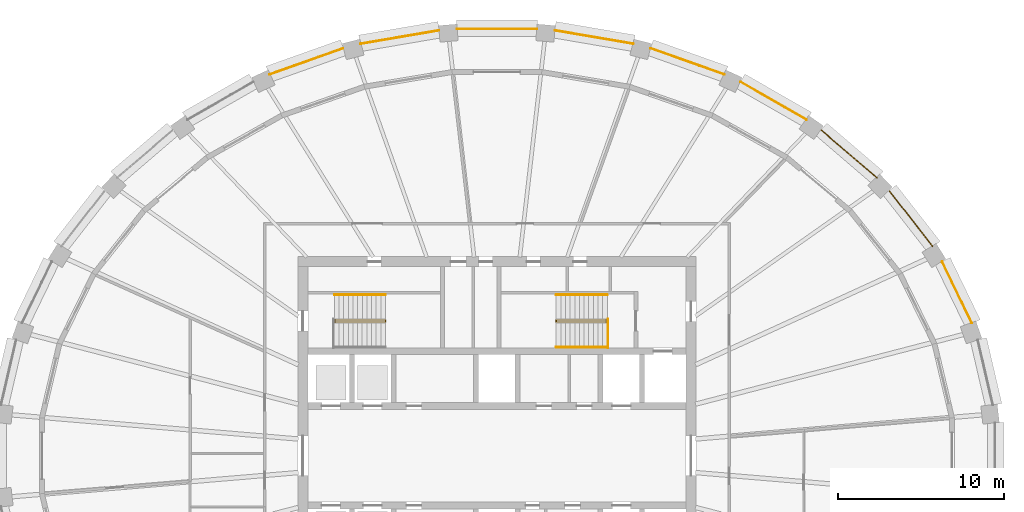
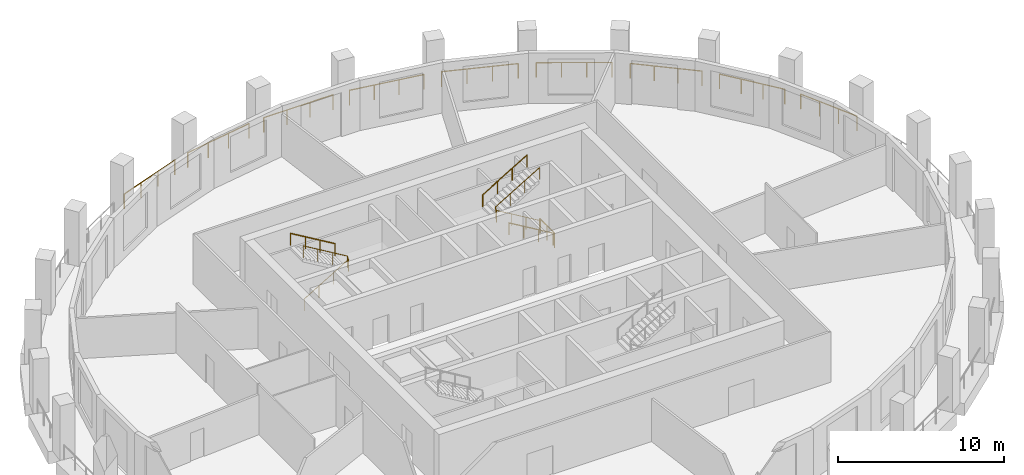
# One storey, part 9 of 10: 15 railings.
"""IFC4 building model written with IfcOpenShell, lengths in metres."""

from ifc_helpers import new_model, si_unit, direction, frame, origin, origin_2d, place, context, subcontext, project, spatial, circle, extrude, material, type_object, element, save


model = new_model("IFC4")

# Units and contexts
model_context = context("Model", 3, precision=1e-05, world=origin(), true_north=direction((0.0, 1.0)))
body_context = subcontext(model_context, "Body", "Model", "MODEL_VIEW")
ifc_project = project(units=[si_unit("LENGTHUNIT", "METRE"), si_unit("AREAUNIT", "SQUARE_METRE"), si_unit("VOLUMEUNIT", "CUBIC_METRE"), si_unit("PLANEANGLEUNIT", "RADIAN"), si_unit("MASSUNIT", "GRAM", prefix="KILO")], contexts=[model_context])

# Site, building, storey
site_placement = place(None, origin())
site = spatial("IfcSite", under=ifc_project, at=site_placement, CompositionType="ELEMENT")
building_placement = place(site_placement, origin())
building = spatial("IfcBuilding", under=site, at=building_placement, Name="Halqa Exchange Tower", CompositionType="ELEMENT")
storey_placement = place(building_placement, frame((0.0, 0.0, 264.300048828125)))
storey = spatial("IfcBuildingStorey", under=building, at=storey_placement, Name="L61", CompositionType="ELEMENT", Elevation=264.300048828125)

# Railings
ifc_material = material(Name="Stainless steel", Category="steel")
railing_type_1 = type_object("IfcRailingType", Name="Guard 1100 stainless steel", PredefinedType="GUARDRAIL", material=ifc_material)
railing_1_placement = place(storey_placement, frame((28.625244140625, 8.000244140625, 0.0)))
element("IfcRailing", 1, at=railing_1_placement, inside=storey, type_object=railing_type_1, Name="Loggia guard 2", PredefinedType="GUARDRAIL", context=body_context, shape_type="SweptSolid", body=[
    extrude(circle(Radius=0.02392578125, at=origin_2d()), frame((0.0, 0.0, 1.076171875), z_axis=(-0.435098678417, 0.90038277418, 0.0), x_axis=(-0.90038277418, -0.435098678417, 0.0)), (0.0, 0.0, 1.0), 4.1005859375),
    extrude(circle(Radius=0.02099609375, at=origin_2d()), origin(), (0.0, 0.0, 1.0), 1.052001953125),
    extrude(circle(Radius=0.02099609375, at=origin_2d()), frame((-0.5947265625, 1.230712890625, 0.0)), (0.0, 0.0, 1.0), 1.052001953125),
    extrude(circle(Radius=0.02099609375, at=origin_2d()), frame((-1.189453125, 2.46142578125, 0.0)), (0.0, 0.0, 1.0), 1.052001953125),
    extrude(circle(Radius=0.02099609375, at=origin_2d()), frame((-1.7841796875, 3.692138671875, 0.0)), (0.0, 0.0, 1.0), 1.052001953125),
])
railing_2_placement = place(storey_placement, frame((26.263671875, 12.62158203125, 0.0)))
element("IfcRailing", 2, at=railing_2_placement, inside=storey, type_object=railing_type_1, Name="Loggia guard 3", PredefinedType="GUARDRAIL", context=body_context, shape_type="SweptSolid", body=[
    extrude(circle(Radius=0.02392578125, at=origin_2d()), frame((0.0, 0.0, 1.076171875), z_axis=(-0.614836461486, 0.788654630131, 0.0), x_axis=(-0.788654630131, -0.614836461486, 0.0)), (0.0, 0.0, 1.0), 4.2431640625),
    extrude(circle(Radius=0.02099609375, at=origin_2d()), origin(), (0.0, 0.0, 1.0), 1.052001953125),
    extrude(circle(Radius=0.02099609375, at=origin_2d()), frame((-0.86962890625, 1.115478515625, 0.0)), (0.0, 0.0, 1.0), 1.052001953125),
    extrude(circle(Radius=0.02099609375, at=origin_2d()), frame((-1.7392578125, 2.23095703125, 0.0)), (0.0, 0.0, 1.0), 1.052001953125),
    extrude(circle(Radius=0.02099609375, at=origin_2d()), frame((-2.60888671875, 3.346435546875, 0.0)), (0.0, 0.0, 1.0), 1.052001953125),
])
railing_3_placement = place(storey_placement, frame((22.899169921875, 16.759765625, 0.0)))
element("IfcRailing", 3, at=railing_3_placement, inside=storey, type_object=railing_type_1, Name="Loggia guard 4", PredefinedType="GUARDRAIL", context=body_context, shape_type="SweptSolid", body=[
    extrude(circle(Radius=0.02392578125, at=origin_2d()), frame((0.0, 0.0, 1.076171875), z_axis=(-0.759283974787, 0.650759437605, 0.0), x_axis=(-0.650759437605, -0.759283974787, 0.0)), (0.0, 0.0, 1.0), 4.406982421875),
    extrude(circle(Radius=0.02099609375, at=origin_2d()), origin(), (0.0, 0.0, 1.0), 1.052001953125),
    extrude(circle(Radius=0.02099609375, at=origin_2d()), frame((-1.115478515625, 0.9560546875, 0.0)), (0.0, 0.0, 1.0), 1.052001953125),
    extrude(circle(Radius=0.02099609375, at=origin_2d()), frame((-2.230712890625, 1.911865234375, 0.0)), (0.0, 0.0, 1.0), 1.052001953125),
    extrude(circle(Radius=0.02099609375, at=origin_2d()), frame((-3.34619140625, 2.867919921875, 0.0)), (0.0, 0.0, 1.0), 1.052001953125),
])
railing_4_placement = place(storey_placement, frame((18.658203125, 20.259033203125, 0.0)))
element("IfcRailing", 4, at=railing_4_placement, inside=storey, type_object=railing_type_1, Name="Loggia guard 5", PredefinedType="GUARDRAIL", context=body_context, shape_type="SweptSolid", body=[
    extrude(circle(Radius=0.02392578125, at=origin_2d()), frame((0.0, 0.0, 1.076171875), z_axis=(-0.867739238196, 0.497019732501, 0.0), x_axis=(-0.497019732501, -0.867739238196, 0.0)), (0.0, 0.0, 1.0), 4.565673828125),
    extrude(circle(Radius=0.02099609375, at=origin_2d()), origin(), (0.0, 0.0, 1.0), 1.052001953125),
    extrude(circle(Radius=0.02099609375, at=origin_2d()), frame((-1.320556640625, 0.75634765625, 0.0)), (0.0, 0.0, 1.0), 1.052001953125),
    extrude(circle(Radius=0.02099609375, at=origin_2d()), frame((-2.641357421875, 1.512939453125, 0.0)), (0.0, 0.0, 1.0), 1.052001953125),
    extrude(circle(Radius=0.02099609375, at=origin_2d()), frame((-3.9619140625, 2.269287109375, 0.0)), (0.0, 0.0, 1.0), 1.052001953125),
])
railing_5_placement = place(storey_placement, frame((13.70068359375, 22.985595703125, 0.0)))
element("IfcRailing", 5, at=railing_5_placement, inside=storey, type_object=railing_type_1, Name="Loggia guard 6", PredefinedType="GUARDRAIL", context=body_context, shape_type="SweptSolid", body=[
    extrude(circle(Radius=0.02392578125, at=origin_2d()), frame((0.0, 0.0, 1.076171875), z_axis=(-0.942371721462, 0.334567689099, 0.0), x_axis=(-0.334567689099, -0.942371721462, 0.0)), (0.0, 0.0, 1.0), 4.697265625),
    extrude(circle(Radius=0.02099609375, at=origin_2d()), origin(), (0.0, 0.0, 1.0), 1.052001953125),
    extrude(circle(Radius=0.02099609375, at=origin_2d()), frame((-1.4755859375, 0.52392578125, 0.0)), (0.0, 0.0, 1.0), 1.052001953125),
    extrude(circle(Radius=0.02099609375, at=origin_2d()), frame((-2.950927734375, 1.047607421875, 0.0)), (0.0, 0.0, 1.0), 1.052001953125),
    extrude(circle(Radius=0.02099609375, at=origin_2d()), frame((-4.426513671875, 1.571533203125, 0.0)), (0.0, 0.0, 1.0), 1.052001953125),
])
railing_6_placement = place(storey_placement, frame((8.2138671875, 24.83349609375, 0.0)))
element("IfcRailing", 6, at=railing_6_placement, inside=storey, type_object=railing_type_1, Name="Loggia guard 7", PredefinedType="GUARDRAIL", context=body_context, shape_type="SweptSolid", body=[
    extrude(circle(Radius=0.02392578125, at=origin_2d()), frame((0.0, 0.0, 1.076171875), z_axis=(-0.985773163999, 0.168081138562, 0.0), x_axis=(-0.168081138562, -0.985773163999, 0.0)), (0.0, 0.0, 1.0), 4.783203125),
    extrude(circle(Radius=0.02099609375, at=origin_2d()), origin(), (0.0, 0.0, 1.0), 1.052001953125),
    extrude(circle(Radius=0.02099609375, at=origin_2d()), frame((-1.57177734375, 0.26806640625, 0.0)), (0.0, 0.0, 1.0), 1.052001953125),
    extrude(circle(Radius=0.02099609375, at=origin_2d()), frame((-3.143310546875, 0.535888671875, 0.0)), (0.0, 0.0, 1.0), 1.052001953125),
    extrude(circle(Radius=0.02099609375, at=origin_2d()), frame((-4.715087890625, 0.803955078125, 0.0)), (0.0, 0.0, 1.0), 1.052001953125),
])
railing_7_placement = place(storey_placement, frame((2.406494140625, 25.72998046875, 0.0)))
element("IfcRailing", 7, at=railing_7_placement, inside=storey, type_object=railing_type_1, Name="Loggia guard 8", PredefinedType="GUARDRAIL", context=body_context, shape_type="SweptSolid", body=[
    extrude(circle(Radius=0.02392578125, at=origin_2d()), frame((0.0, 0.0, 1.076171875), z_axis=(-1.0, 0.0, 0.0), x_axis=(0.0, -1.0, 0.0)), (0.0, 0.0, 1.0), 4.81298828125),
    extrude(circle(Radius=0.02099609375, at=origin_2d()), origin(), (0.0, 0.0, 1.0), 1.052001953125),
    extrude(circle(Radius=0.02099609375, at=origin_2d()), frame((-1.604248046875, 0.0, 0.0)), (0.0, 0.0, 1.0), 1.052001953125),
    extrude(circle(Radius=0.02099609375, at=origin_2d()), frame((-3.208740234375, 0.0, 0.0)), (0.0, 0.0, 1.0), 1.052001953125),
    extrude(circle(Radius=0.02099609375, at=origin_2d()), frame((-4.81298828125, 0.0, 0.0)), (0.0, 0.0, 1.0), 1.052001953125),
])
railing_8_placement = place(storey_placement, frame((-3.498779296875, 25.637451171875, 0.0)))
element("IfcRailing", 8, at=railing_8_placement, inside=storey, type_object=railing_type_1, Name="Loggia guard 9", PredefinedType="GUARDRAIL", context=body_context, shape_type="SweptSolid", body=[
    extrude(circle(Radius=0.02392578125, at=origin_2d()), frame((0.0, 0.0, 1.076171875), z_axis=(-0.985773163999, -0.168081138562, 0.0), x_axis=(0.168081138562, -0.985773163999, 0.0)), (0.0, 0.0, 1.0), 4.783203125),
    extrude(circle(Radius=0.02099609375, at=origin_2d()), origin(), (0.0, 0.0, 1.0), 1.052001953125),
    extrude(circle(Radius=0.02099609375, at=origin_2d()), frame((-1.57177734375, -0.26806640625, 0.0)), (0.0, 0.0, 1.0), 1.052001953125),
    extrude(circle(Radius=0.02099609375, at=origin_2d()), frame((-3.143310546875, -0.535888671875, 0.0)), (0.0, 0.0, 1.0), 1.052001953125),
    extrude(circle(Radius=0.02099609375, at=origin_2d()), frame((-4.715087890625, -0.803955078125, 0.0)), (0.0, 0.0, 1.0), 1.052001953125),
])
railing_9_placement = place(storey_placement, frame((-9.274169921875, 24.55712890625, 0.0)))
element("IfcRailing", 9, at=railing_9_placement, inside=storey, type_object=railing_type_1, Name="Loggia guard 10", PredefinedType="GUARDRAIL", context=body_context, shape_type="SweptSolid", body=[
    extrude(circle(Radius=0.02392578125, at=origin_2d()), frame((0.0, 0.0, 1.076171875), z_axis=(-0.942371721462, -0.334567689099, 0.0), x_axis=(0.334567689099, -0.942371721462, 0.0)), (0.0, 0.0, 1.0), 4.697265625),
    extrude(circle(Radius=0.02099609375, at=origin_2d()), origin(), (0.0, 0.0, 1.0), 1.052001953125),
    extrude(circle(Radius=0.02099609375, at=origin_2d()), frame((-1.4755859375, -0.52392578125, 0.0)), (0.0, 0.0, 1.0), 1.052001953125),
    extrude(circle(Radius=0.02099609375, at=origin_2d()), frame((-2.950927734375, -1.047607421875, 0.0)), (0.0, 0.0, 1.0), 1.052001953125),
    extrude(circle(Radius=0.02099609375, at=origin_2d()), frame((-4.426513671875, -1.571533203125, 0.0)), (0.0, 0.0, 1.0), 1.052001953125),
])
railing_type_2 = type_object("IfcRailingType", Name="Stair handrail 900", PredefinedType="HANDRAIL", material=ifc_material)
railing_10_placement = place(storey_placement, frame((-9.800048828125, 8.06005859375, 0.166748046875)))
element("IfcRailing", 10, at=railing_10_placement, inside=storey, type_object=railing_type_2, Name="Handrail ST1.1", PredefinedType="HANDRAIL", context=body_context, shape_type="SweptSolid", body=[
    extrude(circle(Radius=0.02392578125, at=origin_2d()), frame((0.0, 0.0, 0.8759765625), z_axis=(0.859308565015, 0.0, 0.511457515432), x_axis=(0.0, 1.0, 0.0)), (0.0, 0.0, 1.0), 3.58447265625),
    extrude(circle(Radius=0.02392578125, at=origin_2d()), frame((3.080078125, 0.0, 2.708984375), z_axis=(0.0, 0.614500226555, 0.788916644243), x_axis=(-1.0, 0.0, 0.0)), (0.0, 0.0, 1.0), 0.21142578125),
    extrude(circle(Radius=0.02392578125, at=origin_2d()), frame((3.080078125, 0.1298828125, 2.8759765625), z_axis=(-0.859308565015, 0.0, 0.511457515432), x_axis=(0.0, -1.0, 0.0)), (0.0, 0.0, 1.0), 3.58447265625),
    extrude(circle(Radius=0.02099609375, at=origin_2d()), origin(), (0.0, 0.0, 1.0), 0.851806640625),
    extrude(circle(Radius=0.02099609375, at=origin_2d()), frame((1.026611328125, 0.0, 0.611083984375)), (0.0, 0.0, 1.0), 0.851806640625),
    extrude(circle(Radius=0.02099609375, at=origin_2d()), frame((2.053466796875, 0.0, 1.22216796875)), (0.0, 0.0, 1.0), 0.851806640625),
    extrude(circle(Radius=0.02099609375, at=origin_2d()), frame((3.080078125, 0.0, 1.833251953125)), (0.0, 0.0, 1.0), 0.851806640625),
    extrude(circle(Radius=0.02099609375, at=origin_2d()), frame((3.080078125, 0.1298828125, 2.0)), (0.0, 0.0, 1.0), 0.851806640625),
    extrude(circle(Radius=0.02099609375, at=origin_2d()), frame((2.053466796875, 0.1298828125, 2.611083984375)), (0.0, 0.0, 1.0), 0.851806640625),
    extrude(circle(Radius=0.02099609375, at=origin_2d()), frame((1.026611328125, 0.1298828125, 3.22216796875)), (0.0, 0.0, 1.0), 0.851806640625),
    extrude(circle(Radius=0.02099609375, at=origin_2d()), frame((0.0, 0.1298828125, 3.833251953125)), (0.0, 0.0, 1.0), 0.851806640625),
])
railing_11_placement = place(storey_placement, frame((-6.719970703125, 9.699951171875, 2.166748046875)))
element("IfcRailing", 11, at=railing_11_placement, inside=storey, type_object=railing_type_2, Name="Handrail ST1.3", PredefinedType="HANDRAIL", context=body_context, shape_type="SweptSolid", body=[
    extrude(circle(Radius=0.02392578125, at=origin_2d()), frame((0.0, 0.0, 0.8759765625), z_axis=(-0.859308565015, 0.0, 0.511457515432), x_axis=(0.0, -1.0, 0.0)), (0.0, 0.0, 1.0), 3.58447265625),
    extrude(circle(Radius=0.02099609375, at=origin_2d()), origin(), (0.0, 0.0, 1.0), 0.851806640625),
    extrude(circle(Radius=0.02099609375, at=origin_2d()), frame((-1.026611328125, 0.0, 0.611083984375)), (0.0, 0.0, 1.0), 0.851806640625),
    extrude(circle(Radius=0.02099609375, at=origin_2d()), frame((-2.053466796875, 0.0, 1.22216796875)), (0.0, 0.0, 1.0), 0.851806640625),
    extrude(circle(Radius=0.02099609375, at=origin_2d()), frame((-3.080078125, 0.0, 1.833251953125)), (0.0, 0.0, 1.0), 0.851806640625),
])
railing_12_placement = place(storey_placement, frame((6.64990234375, 8.06005859375, 0.166748046875)))
element("IfcRailing", 12, at=railing_12_placement, inside=storey, type_object=railing_type_2, Name="Handrail ST2.1", PredefinedType="HANDRAIL", context=body_context, shape_type="SweptSolid", body=[
    extrude(circle(Radius=0.02392578125, at=origin_2d()), frame((0.0, 0.0, 0.8759765625), z_axis=(-0.859290745958, 0.0, 0.51148745235), x_axis=(0.0, -1.0, 0.0)), (0.0, 0.0, 1.0), 3.584228515625),
    extrude(circle(Radius=0.02392578125, at=origin_2d()), frame((-3.079833984375, 0.0, 2.708984375), z_axis=(0.0, 0.614500226555, 0.788916644243), x_axis=(-1.0, 0.0, 0.0)), (0.0, 0.0, 1.0), 0.21142578125),
    extrude(circle(Radius=0.02392578125, at=origin_2d()), frame((-3.079833984375, 0.1298828125, 2.8759765625), z_axis=(0.859290745958, 0.0, 0.51148745235), x_axis=(0.0, 1.0, 0.0)), (0.0, 0.0, 1.0), 3.584228515625),
    extrude(circle(Radius=0.02099609375, at=origin_2d()), origin(), (0.0, 0.0, 1.0), 0.851806640625),
    extrude(circle(Radius=0.02099609375, at=origin_2d()), frame((-1.026611328125, 0.0, 0.611083984375)), (0.0, 0.0, 1.0), 0.851806640625),
    extrude(circle(Radius=0.02099609375, at=origin_2d()), frame((-2.05322265625, 0.0, 1.22216796875)), (0.0, 0.0, 1.0), 0.851806640625),
    extrude(circle(Radius=0.02099609375, at=origin_2d()), frame((-3.079833984375, 0.0, 1.833251953125)), (0.0, 0.0, 1.0), 0.851806640625),
    extrude(circle(Radius=0.02099609375, at=origin_2d()), frame((-3.079833984375, 0.1298828125, 2.0)), (0.0, 0.0, 1.0), 0.851806640625),
    extrude(circle(Radius=0.02099609375, at=origin_2d()), frame((-2.05322265625, 0.1298828125, 2.611083984375)), (0.0, 0.0, 1.0), 0.851806640625),
    extrude(circle(Radius=0.02099609375, at=origin_2d()), frame((-1.026611328125, 0.1298828125, 3.22216796875)), (0.0, 0.0, 1.0), 0.851806640625),
    extrude(circle(Radius=0.02099609375, at=origin_2d()), frame((0.0, 0.1298828125, 3.833251953125)), (0.0, 0.0, 1.0), 0.851806640625),
])
railing_13_placement = place(storey_placement, frame((6.64990234375, 6.550048828125, 0.166748046875)))
element("IfcRailing", 13, at=railing_13_placement, inside=storey, type_object=railing_type_2, Name="Handrail ST2.2", PredefinedType="HANDRAIL", context=body_context, shape_type="SweptSolid", body=[
    extrude(circle(Radius=0.02392578125, at=origin_2d()), frame((0.0, 0.0, 0.8759765625), z_axis=(-0.859290745958, 0.0, 0.51148745235), x_axis=(0.0, -1.0, 0.0)), (0.0, 0.0, 1.0), 3.584228515625),
    extrude(circle(Radius=0.02099609375, at=origin_2d()), origin(), (0.0, 0.0, 1.0), 0.851806640625),
    extrude(circle(Radius=0.02099609375, at=origin_2d()), frame((-1.026611328125, 0.0, 0.611083984375)), (0.0, 0.0, 1.0), 0.851806640625),
    extrude(circle(Radius=0.02099609375, at=origin_2d()), frame((-2.05322265625, 0.0, 1.22216796875)), (0.0, 0.0, 1.0), 0.851806640625),
    extrude(circle(Radius=0.02099609375, at=origin_2d()), frame((-3.079833984375, 0.0, 1.833251953125)), (0.0, 0.0, 1.0), 0.851806640625),
])
railing_14_placement = place(storey_placement, frame((3.570068359375, 9.699951171875, 2.166748046875)))
element("IfcRailing", 14, at=railing_14_placement, inside=storey, type_object=railing_type_2, Name="Handrail ST2.3", PredefinedType="HANDRAIL", context=body_context, shape_type="SweptSolid", body=[
    extrude(circle(Radius=0.02392578125, at=origin_2d()), frame((0.0, 0.0, 0.8759765625), z_axis=(0.859290745958, 0.0, 0.51148745235), x_axis=(0.0, 1.0, 0.0)), (0.0, 0.0, 1.0), 3.584228515625),
    extrude(circle(Radius=0.02099609375, at=origin_2d()), origin(), (0.0, 0.0, 1.0), 0.851806640625),
    extrude(circle(Radius=0.02099609375, at=origin_2d()), frame((1.026611328125, 0.0, 0.611083984375)), (0.0, 0.0, 1.0), 0.851806640625),
    extrude(circle(Radius=0.02099609375, at=origin_2d()), frame((2.05322265625, 0.0, 1.22216796875)), (0.0, 0.0, 1.0), 0.851806640625),
    extrude(circle(Radius=0.02099609375, at=origin_2d()), frame((3.079833984375, 0.0, 1.833251953125)), (0.0, 0.0, 1.0), 0.851806640625),
])
railing_type_3 = type_object("IfcRailingType", Name="Stair well guard 1100", PredefinedType="GUARDRAIL", material=ifc_material)
railing_15_placement = place(storey_placement, frame((6.699951171875, 6.5, 0.0)))
element("IfcRailing", 15, at=railing_15_placement, inside=storey, type_object=railing_type_3, Name="Guard ST2 well", PredefinedType="GUARDRAIL", context=body_context, shape_type="SweptSolid", body=[
    extrude(circle(Radius=0.02392578125, at=origin_2d()), frame((0.0, 0.0, 1.076171875), z_axis=(0.0, 1.0, 0.0), x_axis=(-1.0, 0.0, 0.0)), (0.0, 0.0, 1.0), 1.75),
    extrude(circle(Radius=0.02099609375, at=origin_2d()), origin(), (0.0, 0.0, 1.0), 1.052001953125),
    extrude(circle(Radius=0.02099609375, at=origin_2d()), frame((0.0, 0.875, 0.0)), (0.0, 0.0, 1.0), 1.052001953125),
    extrude(circle(Radius=0.02099609375, at=origin_2d()), frame((0.0, 1.75, 0.0)), (0.0, 0.0, 1.0), 1.052001953125),
])

save(model, "model.ifc")
